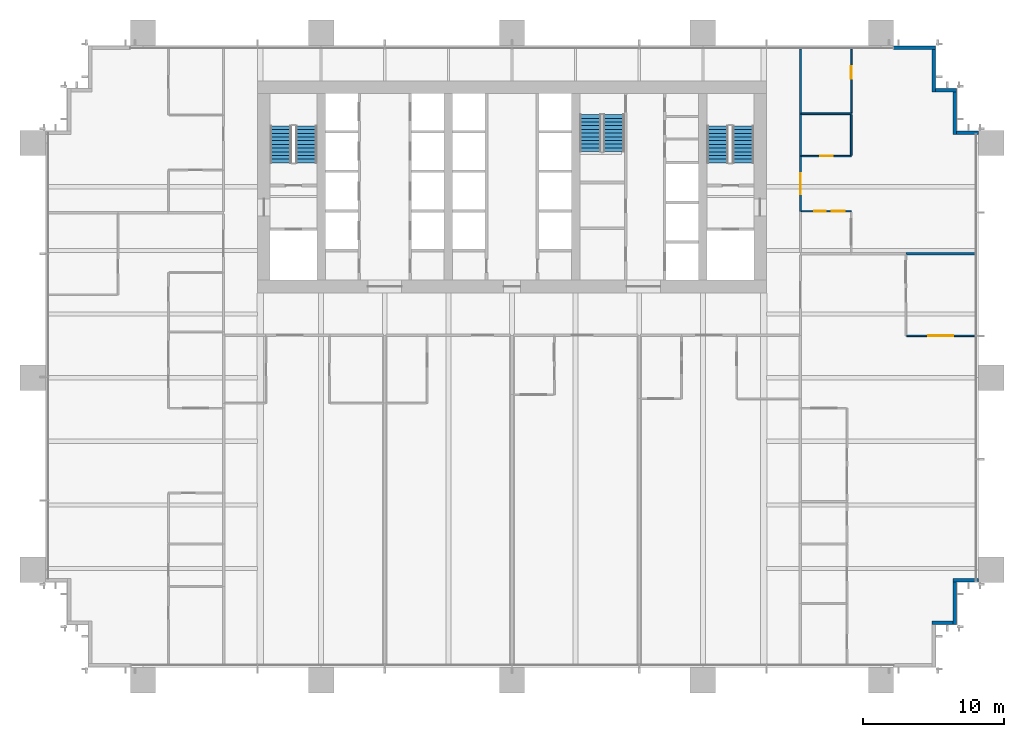
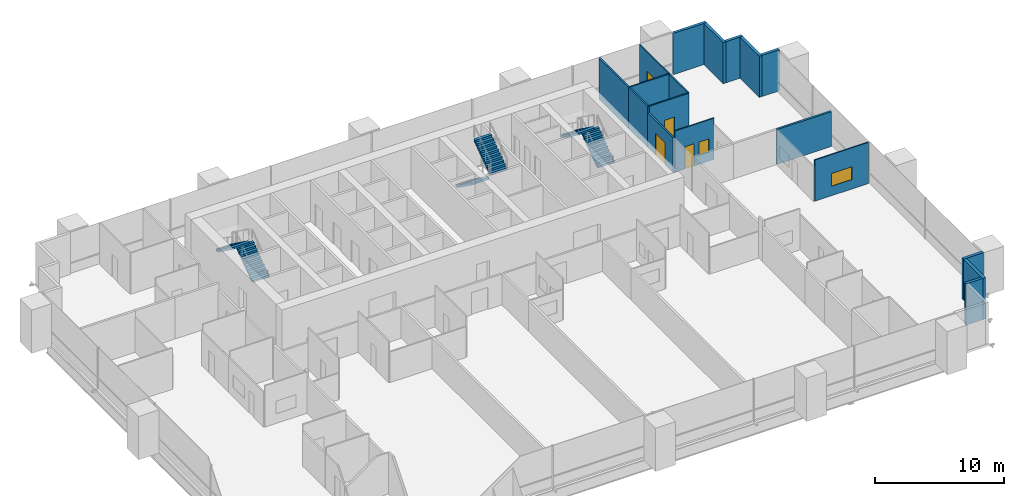
# One storey, part 15 of 18: 18 walls, 6 stair flights, 4 doors, 2 windows, 6 openings, 3 elements without a shape of their own.
"""IFC4 building model written with IfcOpenShell, lengths in metres."""

import ifcopenshell
import ifcopenshell.guid

model = None  # the IFC model being written
_history = None  # IfcOwnerHistory: only IFC2X3 demands one
_inside = {}  # id of a spatial element -> (the spatial element, [elements in it])
_under = {}  # id of a project, library or spatial element -> (it, [spatial elements below it])
_declared = {}  # id of a project -> (the project, [libraries it declares])
_typed = {}  # id of a type object -> (the type object, [elements of that type])
_made_of = {}  # id of a material, layer set ... -> (it, [elements and type objects made of it])


def new_model(schema):
    """Start an empty IFC model of exactly this schema.

    Asked for "IFC4X3", IfcOpenShell would pick the latest addendum, in which some entities
    have other attributes; the version numbers below select the first issue.
    IFC2X3 requires an IfcOwnerHistory on every rooted entity: one is made here for all.
    """
    global model, _history
    if schema == "IFC4X3":
        model = ifcopenshell.file(schema_version=(4, 3, 0, 0))
    else:
        model = ifcopenshell.file(schema=schema)
    _inside.clear()
    _under.clear()
    _declared.clear()
    _typed.clear()
    _made_of.clear()
    _history = None
    if model.schema == "IFC2X3":
        org = make("IfcOrganization", Name="unknown")
        user = make(
            "IfcPersonAndOrganization",
            ThePerson=make("IfcPerson", FamilyName="unknown"),
            TheOrganization=org,
        )
        app = make(
            "IfcApplication",
            ApplicationDeveloper=org,
            Version="unknown",
            ApplicationFullName="unknown",
            ApplicationIdentifier="unknown",
        )
        _history = make(
            "IfcOwnerHistory",
            OwningUser=user,
            OwningApplication=app,
            ChangeAction="ADDED",
            CreationDate=0,
        )
    return model


def make(cls, **values):
    """One entity of the class cls with the attributes given. An attribute that is None is left unset."""
    return model.create_entity(
        cls, **{name: value for name, value in values.items() if value is not None}
    )


def rooted(cls, **values):
    """An entity with a GlobalId (a new one), such as an element, a storey or a relation."""
    return make(cls, GlobalId=ifcopenshell.guid.new(), OwnerHistory=_history, **values)


def si_unit(unit_type, name, prefix=None):
    """IfcSIUnit, for example si_unit("LENGTHUNIT", "METRE", prefix="MILLI")."""
    return make("IfcSIUnit", UnitType=unit_type, Prefix=prefix, Name=name)


def assignment(units):
    """IfcUnitAssignment: the units of a project."""
    return None if units is None else make("IfcUnitAssignment", Units=units)


def point(xyz):
    """IfcCartesianPoint."""
    return None if xyz is None else make("IfcCartesianPoint", Coordinates=xyz)


def direction(xyz):
    """IfcDirection."""
    return None if xyz is None else make("IfcDirection", DirectionRatios=xyz)


def frame(location, z_axis=None, x_axis=None):
    """IfcAxis2Placement3D, a coordinate frame: its origin and axes. An axis left out is left unset."""
    return make(
        "IfcAxis2Placement3D",
        Location=point(location),
        Axis=direction(z_axis),
        RefDirection=direction(x_axis),
    )


def frame_2d(location, x_axis=None):
    """IfcAxis2Placement2D, a coordinate frame in the plane: its origin and x axis."""
    return make(
        "IfcAxis2Placement2D", Location=point(location), RefDirection=direction(x_axis)
    )


def origin():
    """The frame at (0, 0, 0) with its axes left unset."""
    return frame((0.0, 0.0, 0.0))


def place(relative_to, where):
    """IfcLocalPlacement: puts the frame where relative to a parent placement (None: the world)."""
    return make(
        "IfcLocalPlacement", PlacementRelTo=relative_to, RelativePlacement=where
    )


def context(
    kind, dimensions, precision=None, world=None, true_north=None, identifier=None
):
    """IfcGeometricRepresentationContext, for example the 3D "Model" context."""
    return make(
        "IfcGeometricRepresentationContext",
        ContextIdentifier=identifier,
        ContextType=kind,
        CoordinateSpaceDimension=dimensions,
        Precision=precision,
        WorldCoordinateSystem=world,
        TrueNorth=true_north,
    )


def subcontext(parent, identifier, kind, view, scale=None):
    """IfcGeometricRepresentationSubContext, for example "Body" below "Model"."""
    return make(
        "IfcGeometricRepresentationSubContext",
        ContextIdentifier=identifier,
        ContextType=kind,
        ParentContext=parent,
        TargetScale=scale,
        TargetView=view,
    )


def project(units=None, contexts=None):
    """IfcProject with its units and contexts."""
    return rooted(
        "IfcProject",
        Name="project",
        RepresentationContexts=contexts,
        UnitsInContext=assignment(units),
    )


def spatial(cls, under=None, at=None, **own):
    """A site, building, storey or space (cls), placed at a placement, below another one or the project."""
    s = rooted(cls, ObjectPlacement=at, **own)
    if under is not None:
        _under.setdefault(under.id(), (under, []))[1].append(s)
    return s


def polyline(points):
    """IfcPolyline through the points."""
    return make("IfcPolyline", Points=[point(p) for p in points])


def profile(cls, at=None, kind="AREA", **sizes):
    """A parametric profile (cls). Its sizes go by their IFC names, for example OverallWidth=200.0."""
    return make(cls, ProfileType=kind, Position=at, **sizes)


def rectangle(**sizes):
    """IfcRectangleProfileDef."""
    return profile("IfcRectangleProfileDef", **sizes)


def outline(outer, holes=None, kind="AREA"):
    """IfcArbitraryClosedProfileDef: a profile drawn as a closed curve; with holes, ...WithVoids."""
    if holes is None:
        return make("IfcArbitraryClosedProfileDef", ProfileType=kind, OuterCurve=outer)
    return make(
        "IfcArbitraryProfileDefWithVoids",
        ProfileType=kind,
        OuterCurve=outer,
        InnerCurves=holes,
    )


def extrude(swept, where, along, depth):
    """IfcExtrudedAreaSolid: the profile swept, set in the frame where, extruded along a direction by depth."""
    return make(
        "IfcExtrudedAreaSolid",
        SweptArea=swept,
        Position=where,
        ExtrudedDirection=direction(along),
        Depth=depth,
    )


def shape(context_of_items, identifier, shape_type, items):
    """IfcShapeRepresentation: the items that make up one representation, for example the "Body"."""
    return make(
        "IfcShapeRepresentation",
        ContextOfItems=context_of_items,
        RepresentationIdentifier=identifier,
        RepresentationType=shape_type,
        Items=items,
    )


def material(Name=None, Category=None):
    """IfcMaterial."""
    return make("IfcMaterial", Name=Name, Category=Category)


def layer(
    of_material, thickness, ventilated=None, Name=None, Category=None, Priority=None
):
    """IfcMaterialLayer: one layer of a wall or slab, of a material (None: an air gap)."""
    return make(
        "IfcMaterialLayer",
        Material=of_material,
        LayerThickness=thickness,
        IsVentilated=ventilated,
        Name=Name,
        Category=Category,
        Priority=Priority,
    )


def layer_set(layers, Name=None):
    """IfcMaterialLayerSet."""
    return make("IfcMaterialLayerSet", MaterialLayers=layers, LayerSetName=Name)


def made_of(thing, what):
    """Note that an element or type object is made of a material, layer set ...; save() writes the relation."""
    if what is not None:
        _made_of.setdefault(what.id(), (what, []))[1].append(thing)
    return thing


def type_object(cls, material=None, **own):
    """A type object (cls), such as IfcWallType, which elements share."""
    return made_of(rooted(cls, **own), material)


def element(
    cls,
    number,
    at=None,
    inside=None,
    cuts=None,
    type_object=None,
    material=None,
    context=None,
    identifier="Body",
    shape_type=None,
    held_by="IfcProductDefinitionShape",
    body=None,
    shapes=None,
    **own,
):
    """One element of the class cls, such as IfcWall. Its Tag is "e" and its number.

    at: its placement. inside: the storey or other place that contains it. cuts: it is an
    opening in that element (IfcRelVoidsElement). A single representation is given by context,
    identifier, shape_type and body (its items); several are given by shapes. held_by: the class
    of the entity that holds the representations. save() writes the other relations.
    """
    e = rooted(cls, Tag="e%d" % number, ObjectPlacement=at, **own)
    if body is not None:
        shapes = [shape(context, identifier, shape_type, body)]
    if shapes is not None:
        e.Representation = make(held_by, Representations=shapes)
    if inside is not None:
        _inside.setdefault(inside.id(), (inside, []))[1].append(e)
    if cuts is not None:
        rooted(
            "IfcRelVoidsElement", RelatingBuildingElement=cuts, RelatedOpeningElement=e
        )
    if type_object is not None:
        _typed.setdefault(type_object.id(), (type_object, []))[1].append(e)
    return made_of(e, material)


def fill(opening, filler):
    """IfcRelFillsElement: the door or window that sits in an opening."""
    return rooted(
        "IfcRelFillsElement",
        RelatingOpeningElement=opening,
        RelatedBuildingElement=filler,
    )


def aggregate(whole, parts):
    """IfcRelAggregates: a whole, such as a stair, and the parts it consists of."""
    return rooted("IfcRelAggregates", RelatingObject=whole, RelatedObjects=parts)


def save(model, path):
    """Write the relations noted so far, then the file.

    IfcRelAggregates (storeys below a building ...), IfcRelContainedInSpatialStructure (elements
    in a storey), IfcRelDefinesByType, IfcRelAssociatesMaterial and IfcRelDeclares: one each for
    every whole, place, type object, material and project.
    """
    for whole, parts in _under.values():
        aggregate(whole, parts)
    for where, things in _inside.values():
        rooted(
            "IfcRelContainedInSpatialStructure",
            RelatedElements=things,
            RelatingStructure=where,
        )
    for kind, things in _typed.values():
        rooted("IfcRelDefinesByType", RelatedObjects=things, RelatingType=kind)
    for what, things in _made_of.values():
        rooted("IfcRelAssociatesMaterial", RelatedObjects=things, RelatingMaterial=what)
    for by, libraries in _declared.values():
        rooted("IfcRelDeclares", RelatingContext=by, RelatedDefinitions=libraries)
    model.write(path)


model = new_model("IFC4")

# Units and contexts
model_context = context("Model", 3, precision=1e-05, world=origin(), true_north=direction((0.0, 1.0)))
body_context = subcontext(model_context, "Body", "Model", "MODEL_VIEW")
ifc_project = project(units=[si_unit("LENGTHUNIT", "METRE"), si_unit("AREAUNIT", "SQUARE_METRE"), si_unit("VOLUMEUNIT", "CUBIC_METRE"), si_unit("PLANEANGLEUNIT", "RADIAN"), si_unit("MASSUNIT", "GRAM", prefix="KILO")], contexts=[model_context])

# Site, building, storey
site_placement = place(None, origin())
site = spatial("IfcSite", under=ifc_project, at=site_placement, CompositionType="ELEMENT")
building_placement = place(site_placement, origin())
building = spatial("IfcBuilding", under=site, at=building_placement, Name="Rattan Terrace Tower", CompositionType="ELEMENT")
storey_placement = place(building_placement, frame((0.0, 0.0, 36.5)))
storey = spatial("IfcBuildingStorey", under=building, at=storey_placement, Name="L07", CompositionType="ELEMENT", Elevation=36.5)

# Walls
ifc_material_1 = material(Name="Insulated aluminium-clad stud wall", Category="aluminium")
ifc_layer_1 = layer(ifc_material_1, 0.25)
ifc_layer_set_1 = layer_set([ifc_layer_1], Name="Facade Riser Wall 250")
wall_type_1 = type_object("IfcWallType", Name="Facade Riser Wall 250", PredefinedType="SOLIDWALL", material=ifc_layer_set_1)
wall_1_placement = place(storey_placement, frame((29.705078125, -30.830078125, 0.0), z_axis=(0.0, 0.0, 1.0), x_axis=(1.0, 0.0, 0.0)))
element("IfcWall", 1, at=wall_1_placement, inside=storey, type_object=wall_type_1, Name="Riser wall L07-3", PredefinedType="SOLIDWALL", context=body_context, shape_type="SweptSolid", body=[
    extrude(rectangle(XDim=1.5, YDim=0.25, at=frame_2d((0.75, 0.0))), origin(), (0.0, 0.0, 1.0), 3.89990234375),
])
wall_2_placement = place(storey_placement, frame((31.330078125, -30.955078125, 0.0), z_axis=(0.0, 0.0, 1.0), x_axis=(0.0, 1.0, 0.0)))
element("IfcWall", 2, at=wall_2_placement, inside=storey, type_object=wall_type_1, Name="Riser wall L07-4", PredefinedType="SOLIDWALL", context=body_context, shape_type="SweptSolid", body=[
    extrude(rectangle(XDim=3.0, YDim=0.25, at=frame_2d((1.5, 0.0))), origin(), (0.0, 0.0, 1.0), 3.89990234375),
])
wall_3_placement = place(storey_placement, frame((31.205078125, -27.830078125, 0.0), z_axis=(0.0, 0.0, 1.0), x_axis=(1.0, 0.0, 0.0)))
element("IfcWall", 3, at=wall_3_placement, inside=storey, type_object=wall_type_1, Name="Riser wall L07-5", PredefinedType="SOLIDWALL", context=body_context, shape_type="SweptSolid", body=[
    extrude(rectangle(XDim=1.7998046875, YDim=0.25, at=frame_2d((0.89990234375, 0.0))), origin(), (0.0, 0.0, 1.0), 3.89990234375),
])
wall_4_placement = place(storey_placement, frame((33.0048828125, 3.830078125, 0.0), z_axis=(0.0, 0.0, 1.0), x_axis=(-1.0, 0.0, 0.0)))
element("IfcWall", 4, at=wall_4_placement, inside=storey, type_object=wall_type_1, Name="Riser wall L07-6", PredefinedType="SOLIDWALL", context=body_context, shape_type="SweptSolid", body=[
    extrude(rectangle(XDim=1.5498046875, YDim=0.25, at=frame_2d((0.77490234375, 0.0))), origin(), (0.0, 0.0, 1.0), 3.89990234375),
])
wall_5_placement = place(storey_placement, frame((31.330078125, 3.705078125, 0.0), z_axis=(0.0, 0.0, 1.0), x_axis=(0.0, 1.0, 0.0)))
element("IfcWall", 5, at=wall_5_placement, inside=storey, type_object=wall_type_1, Name="Riser wall L07-7", PredefinedType="SOLIDWALL", context=body_context, shape_type="SweptSolid", body=[
    extrude(rectangle(XDim=3.0, YDim=0.25, at=frame_2d((1.5, 0.0))), origin(), (0.0, 0.0, 1.0), 3.89990234375),
])
wall_6_placement = place(storey_placement, frame((31.455078125, 6.830078125, 0.0), z_axis=(0.0, 0.0, 1.0), x_axis=(-1.0, 0.0, 0.0)))
element("IfcWall", 6, at=wall_6_placement, inside=storey, type_object=wall_type_1, Name="Riser wall L07-8", PredefinedType="SOLIDWALL", context=body_context, shape_type="SweptSolid", body=[
    extrude(rectangle(XDim=1.5, YDim=0.25, at=frame_2d((0.75, 0.0))), origin(), (0.0, 0.0, 1.0), 3.89990234375),
])
wall_7_placement = place(storey_placement, frame((29.830078125, 6.705078125, 0.0), z_axis=(0.0, 0.0, 1.0), x_axis=(0.0, 1.0, 0.0)))
element("IfcWall", 7, at=wall_7_placement, inside=storey, type_object=wall_type_1, Name="Riser wall L07-9", PredefinedType="SOLIDWALL", context=body_context, shape_type="SweptSolid", body=[
    extrude(rectangle(XDim=3.0, YDim=0.25, at=frame_2d((1.5, 0.0))), origin(), (0.0, 0.0, 1.0), 3.89990234375),
])
wall_8_placement = place(storey_placement, frame((29.955078125, 9.830078125, 0.0), z_axis=(0.0, 0.0, 1.0), x_axis=(-1.0, 0.0, 0.0)))
element("IfcWall", 8, at=wall_8_placement, inside=storey, type_object=wall_type_1, Name="Riser wall L07-10", PredefinedType="SOLIDWALL", context=body_context, shape_type="SweptSolid", body=[
    extrude(rectangle(XDim=2.955078125, YDim=0.25, at=frame_2d((1.4775390625, 0.0))), origin(), (0.0, 0.0, 1.0), 3.89990234375),
])
ifc_material_2 = material(Name="Double steel stud acoustic partition, gypsum board, mineral wool, fire rated", Category="steel")
ifc_layer_2 = layer(ifc_material_2, 0.179931640625)
ifc_layer_set_2 = layer_set([ifc_layer_2], Name="Floors Acoustic Party Wall 180")
wall_type_2 = type_object("IfcWallType", Name="Floors Acoustic Party Wall 180", PredefinedType="PARTITIONING", material=ifc_layer_set_2)
wall_9_placement = place(storey_placement, frame((27.860107421875, -4.72705078125, 0.0), z_axis=(0.0, 0.0, 1.0), x_axis=(1.0, 0.0, 0.0)))
element("IfcWall", 9, at=wall_9_placement, inside=storey, type_object=wall_type_2, Name="pt-L07-081", PredefinedType="PARTITIONING", context=body_context, shape_type="SweptSolid", body=[
    extrude(rectangle(XDim=4.8798828125, YDim=0.179931640625, at=frame_2d((2.43994140625, 0.0))), origin(), (0.0, 0.0, 1.0), 3.300048828125),
])

# Wall, opening, window
ifc_material_3 = material(Name="Gypsum board partition on steel studs", Category="steel")
ifc_layer_3 = layer(ifc_material_3, 0.10009765625)
ifc_layer_set_3 = layer_set([ifc_layer_3], Name="Floors Partition 100")
wall_type_3 = type_object("IfcWallType", Name="Floors Partition 100", PredefinedType="PARTITIONING", material=ifc_layer_set_3)
wall_10_placement = place(storey_placement, frame((27.909912109375, -10.544921875, 0.0), z_axis=(0.0, 0.0, 1.0), x_axis=(1.0, 0.0, 0.0)))
wall_10 = element("IfcWall", 10, at=wall_10_placement, inside=storey, type_object=wall_type_3, Name="pt-L07-073", PredefinedType="PARTITIONING", context=body_context, shape_type="SweptSolid", body=[
    extrude(rectangle(XDim=4.830078125, YDim=0.10009765625, at=frame_2d((2.4150390625, 0.0))), origin(), (0.0, 0.0, 1.0), 3.89990234375),
])
opening_1_placement = place(wall_10_placement, frame((1.514892578125, 0.0, 0.89990234375)))
opening_1 = element("IfcOpeningElement", 11, at=opening_1_placement, cuts=wall_10, Name="Opening L07-W107", PredefinedType="OPENING", context=body_context, shape_type="SweptSolid", body=[
    extrude(rectangle(XDim=1.800048828125, YDim=1.199951171875, at=frame_2d((0.89990234375, 0.60009765625))), frame((0.0, 0.060546875, 0.0), z_axis=(0.0, -1.0, 0.0), x_axis=(1.0, 0.0, 0.0)), (0.0, 0.0, 1.0), 0.12109375),
])
ifc_material_4 = material(Name="Glass, clear, fixed in aluminium frame", Category="aluminium")
window_type_1 = type_object("IfcWindowType", Name="Interior Vision Window 1800x1200", PartitioningType="SINGLE_PANEL", PredefinedType="WINDOW", material=ifc_material_4)
window_1_placement = place(opening_1_placement, origin())
window_1 = element("IfcWindow", 12, at=window_1_placement, inside=storey, type_object=window_type_1, Name="w-L07-107", OverallHeight=1.199951171875, OverallWidth=1.800048828125, PartitioningType="SINGLE_PANEL", PredefinedType="WINDOW", context=body_context, shape_type="SweptSolid", body=[
    extrude(rectangle(XDim=1.800048828125, YDim=1.199951171875, at=frame_2d((0.89990234375, 0.60009765625))), frame((0.0, 0.030029296875, 0.0), z_axis=(0.0, -1.0, 0.0), x_axis=(1.0, 0.0, 0.0)), (0.0, 0.0, 1.0), 0.06005859375),
])
fill(opening_1, window_1)

# Wall, openings, door, window
wall_11_placement = place(storey_placement, frame((24.0, -1.72705078125, 0.0), z_axis=(0.0, 0.0, 1.0), x_axis=(-1.0, 0.0, 0.0)))
wall_11 = element("IfcWall", 13, at=wall_11_placement, inside=storey, type_object=wall_type_3, Name="pt-L07-085", PredefinedType="PARTITIONING", context=body_context, shape_type="SweptSolid", body=[
    extrude(rectangle(XDim=3.52490234375, YDim=0.10009765625, at=frame_2d((1.762451171875, 0.0))), origin(), (0.0, 0.0, 1.0), 3.89990234375),
])
opening_2_placement = place(wall_11_placement, frame((1.806884765625, 0.0, 0.0)))
opening_2 = element("IfcOpeningElement", 14, at=opening_2_placement, cuts=wall_11, Name="Opening L07-D127", PredefinedType="OPENING", context=body_context, shape_type="SweptSolid", body=[
    extrude(rectangle(XDim=0.800048828125, YDim=2.10009765625, at=frame_2d((0.39990234375, 1.050048828125))), frame((0.0, 0.060546875, 0.0), z_axis=(0.0, -1.0, 0.0), x_axis=(1.0, 0.0, 0.0)), (0.0, 0.0, 1.0), 0.12109375),
])
opening_3_placement = place(wall_11_placement, frame((0.47900390625, 0.0, 0.89990234375)))
opening_3 = element("IfcOpeningElement", 15, at=opening_3_placement, cuts=wall_11, Name="Opening L07-W110", PredefinedType="OPENING", context=body_context, shape_type="SweptSolid", body=[
    extrude(rectangle(XDim=0.89990234375, YDim=1.199951171875, at=frame_2d((0.449951171875, 0.60009765625))), frame((0.0, 0.060546875, 0.0), z_axis=(0.0, -1.0, 0.0), x_axis=(1.0, 0.0, 0.0)), (0.0, 0.0, 1.0), 0.12109375),
])
ifc_material_5 = material(Name="Solid core timber door, painted", Category="wood")
door_type_1 = type_object("IfcDoorType", Name="Floors Store Door 800x2100", OperationType="NOTDEFINED", PredefinedType="DOOR", material=ifc_material_5)
door_1_placement = place(opening_2_placement, origin())
door_1 = element("IfcDoor", 16, at=door_1_placement, inside=storey, type_object=door_type_1, Name="d-L07-127", OperationType="SINGLE_SWING_RIGHT", OverallHeight=2.10009765625, OverallWidth=0.800048828125, PredefinedType="DOOR", context=body_context, shape_type="SweptSolid", body=[
    extrude(rectangle(XDim=0.800048828125, YDim=2.10009765625, at=frame_2d((0.39990234375, 1.050048828125))), frame((0.0, 0.02490234375, 0.0), z_axis=(0.0, -1.0, 0.0), x_axis=(1.0, 0.0, 0.0)), (0.0, 0.0, 1.0), 0.050048828125),
])
fill(opening_2, door_1)
ifc_material_6 = material(Name="Glass, clear, fixed in aluminium frame", Category="aluminium")
window_type_2 = type_object("IfcWindowType", Name="Interior Vision Window 900x1200", PartitioningType="SINGLE_PANEL", PredefinedType="WINDOW", material=ifc_material_6)
window_2_placement = place(opening_3_placement, origin())
window_2 = element("IfcWindow", 17, at=window_2_placement, inside=storey, type_object=window_type_2, Name="w-L07-110", OverallHeight=1.199951171875, OverallWidth=0.89990234375, PartitioningType="SINGLE_PANEL", PredefinedType="WINDOW", context=body_context, shape_type="SweptSolid", body=[
    extrude(rectangle(XDim=0.89990234375, YDim=1.199951171875, at=frame_2d((0.449951171875, 0.60009765625))), frame((0.0, 0.030029296875, 0.0), z_axis=(0.0, -1.0, 0.0), x_axis=(1.0, 0.0, 0.0)), (0.0, 0.0, 1.0), 0.06005859375),
])
fill(opening_3, window_2)

# Wall, opening, door
wall_12_placement = place(storey_placement, frame((24.0, 5.193115234375, 0.0), z_axis=(0.0, 0.0, 1.0), x_axis=(0.0, 1.0, 0.0)))
wall_12 = element("IfcWall", 18, at=wall_12_placement, inside=storey, type_object=wall_type_3, Name="pt-L07-089", PredefinedType="PARTITIONING", context=body_context, shape_type="SweptSolid", body=[
    extrude(rectangle(XDim=4.546875, YDim=0.10009765625, at=frame_2d((2.2734375, 0.0))), origin(), (0.0, 0.0, 1.0), 3.89990234375),
])
opening_4_placement = place(wall_12_placement, frame((2.452880859375, 0.0, 0.0)))
opening_4 = element("IfcOpeningElement", 19, at=opening_4_placement, cuts=wall_12, Name="Opening L07-D129", PredefinedType="OPENING", context=body_context, shape_type="SweptSolid", body=[
    extrude(rectangle(XDim=0.89990234375, YDim=2.10009765625, at=frame_2d((0.449951171875, 1.050048828125))), frame((0.0, 0.060546875, 0.0), z_axis=(0.0, -1.0, 0.0), x_axis=(1.0, 0.0, 0.0)), (0.0, 0.0, 1.0), 0.12109375),
])
ifc_material_7 = material(Name="Solid core timber door, painted", Category="wood")
door_type_2 = type_object("IfcDoorType", Name="Floors Door 900x2100", OperationType="NOTDEFINED", PredefinedType="DOOR", material=ifc_material_7)
door_2_placement = place(opening_4_placement, origin())
door_2 = element("IfcDoor", 20, at=door_2_placement, inside=storey, type_object=door_type_2, Name="d-L07-129", OperationType="SINGLE_SWING_RIGHT", OverallHeight=2.10009765625, OverallWidth=0.89990234375, PredefinedType="DOOR", context=body_context, shape_type="SweptSolid", body=[
    extrude(rectangle(XDim=0.89990234375, YDim=2.10009765625, at=frame_2d((0.449951171875, 1.050048828125))), frame((0.0, 0.02490234375, 0.0), z_axis=(0.0, -1.0, 0.0), x_axis=(1.0, 0.0, 0.0)), (0.0, 0.0, 1.0), 0.050048828125),
])
fill(opening_4, door_2)

ifc_material_8 = material(Name="Gypsum board partition on steel studs, fire rated", Category="steel")
ifc_layer_4 = layer(ifc_material_8, 0.14990234375)
ifc_layer_set_4 = layer_set([ifc_layer_4], Name="Floors Tenancy Wall 150")
wall_type_4 = type_object("IfcWallType", Name="Floors Tenancy Wall 150", PredefinedType="PARTITIONING", material=ifc_layer_set_4)
wall_13_placement = place(storey_placement, frame((20.39990234375, 2.193115234375, 0.0), z_axis=(0.0, 0.0, 1.0), x_axis=(0.0, -1.0, 0.0)))
wall_13 = element("IfcWall", 21, at=wall_13_placement, inside=storey, type_object=wall_type_4, Name="pt-L07-018", PredefinedType="PARTITIONING", context=body_context, shape_type="SweptSolid", body=[
    extrude(rectangle(XDim=3.940185546875, YDim=0.14990234375, at=frame_2d((1.97021484375, 0.0))), origin(), (0.0, 0.0, 1.0), 3.300048828125),
])
opening_5_placement = place(wall_13_placement, frame((1.219970703125, 0.0, 0.0)))
opening_5 = element("IfcOpeningElement", 22, at=opening_5_placement, cuts=wall_13, Name="Opening L07-D126", PredefinedType="OPENING", context=body_context, shape_type="SweptSolid", body=[
    extrude(rectangle(XDim=1.5, YDim=2.10009765625, at=frame_2d((0.75, 1.050048828125))), frame((0.0, 0.08544921875, 0.0), z_axis=(0.0, -1.0, 0.0), x_axis=(1.0, 0.0, 0.0)), (0.0, 0.0, 1.0), 0.1708984375),
])
ifc_material_9 = material(Name="Steel fire door set", Category="steel")
door_type_3 = type_object("IfcDoorType", Name="Floors Unit Door Pair FD30S 1500x2100", OperationType="NOTDEFINED", PredefinedType="DOOR", material=ifc_material_9)
door_3_placement = place(opening_5_placement, origin())
door_3 = element("IfcDoor", 23, at=door_3_placement, inside=storey, type_object=door_type_3, Name="d-L07-126", OperationType="DOUBLE_DOOR_SINGLE_SWING", OverallHeight=2.10009765625, OverallWidth=1.5, PredefinedType="DOOR", context=body_context, shape_type="SweptSolid", body=[
    extrude(rectangle(XDim=1.5, YDim=2.10009765625, at=frame_2d((0.75, 1.050048828125))), frame((0.0, 0.02490234375, 0.0), z_axis=(0.0, -1.0, 0.0), x_axis=(1.0, 0.0, 0.0)), (0.0, 0.0, 1.0), 0.050048828125),
])
fill(opening_5, door_3)

# Walls
wall_14_placement = place(storey_placement, frame((20.39990234375, 5.153076171875, 0.0), z_axis=(0.0, 0.0, 1.0), x_axis=(0.0, -1.0, 0.0)))
element("IfcWall", 24, at=wall_14_placement, inside=storey, type_object=wall_type_4, Name="pt-L07-020", PredefinedType="PARTITIONING", context=body_context, shape_type="SweptSolid", body=[
    extrude(rectangle(XDim=2.9599609375, YDim=0.14990234375, at=frame_2d((1.47998046875, 0.0))), origin(), (0.0, 0.0, 1.0), 3.89990234375),
])
wall_15_placement = place(storey_placement, frame((20.39990234375, 9.739990234375, 0.0), z_axis=(0.0, 0.0, 1.0), x_axis=(0.0, -1.0, 0.0)))
element("IfcWall", 25, at=wall_15_placement, inside=storey, type_object=wall_type_4, Name="pt-L07-021", PredefinedType="PARTITIONING", context=body_context, shape_type="SweptSolid", body=[
    extrude(rectangle(XDim=4.5869140625, YDim=0.14990234375, at=frame_2d((2.29345703125, 0.0))), origin(), (0.0, 0.0, 1.0), 3.89990234375),
])

# Wall, opening, door
ifc_material_10 = material(Name="Moisture resistant gypsum board partition on steel studs with service cavity", Category="steel")
ifc_layer_5 = layer(ifc_material_10, 0.1201171875)
ifc_layer_set_5 = layer_set([ifc_layer_5], Name="Floors Wet Wall 120")
wall_type_5 = type_object("IfcWallType", Name="Floors Wet Wall 120", PredefinedType="PARTITIONING", material=ifc_layer_set_5)
wall_16_placement = place(storey_placement, frame((20.47509765625, 2.173095703125, 0.0), z_axis=(0.0, 0.0, 1.0), x_axis=(1.0, 0.0, 0.0)))
wall_16 = element("IfcWall", 26, at=wall_16_placement, inside=storey, type_object=wall_type_5, Name="pt-L07-087", PredefinedType="PARTITIONING", context=body_context, shape_type="SweptSolid", body=[
    extrude(rectangle(XDim=3.52490234375, YDim=0.1201171875, at=frame_2d((1.762451171875, 0.0))), origin(), (0.0, 0.0, 1.0), 3.89990234375),
])
opening_6_placement = place(wall_16_placement, frame((1.31201171875, 0.0, 0.0)))
opening_6 = element("IfcOpeningElement", 27, at=opening_6_placement, cuts=wall_16, Name="Opening L07-D128", PredefinedType="OPENING", context=body_context, shape_type="SweptSolid", body=[
    extrude(rectangle(XDim=0.89990234375, YDim=2.10009765625, at=frame_2d((0.449951171875, 1.050048828125))), frame((0.0, 0.070556640625, 0.0), z_axis=(0.0, -1.0, 0.0), x_axis=(1.0, 0.0, 0.0)), (0.0, 0.0, 1.0), 0.14111328125),
])
door_4_placement = place(opening_6_placement, origin())
door_4 = element("IfcDoor", 28, at=door_4_placement, inside=storey, type_object=door_type_2, Name="d-L07-128", OperationType="SINGLE_SWING_LEFT", OverallHeight=2.10009765625, OverallWidth=0.89990234375, PredefinedType="DOOR", context=body_context, shape_type="SweptSolid", body=[
    extrude(rectangle(XDim=0.89990234375, YDim=2.10009765625, at=frame_2d((0.449951171875, 1.050048828125))), frame((0.0, 0.02490234375, 0.0), z_axis=(0.0, -1.0, 0.0), x_axis=(1.0, 0.0, 0.0)), (0.0, 0.0, 1.0), 0.050048828125),
])
fill(opening_6, door_4)

# Walls
wall_17_placement = place(storey_placement, frame((24.0009765625, 2.23291015625, 0.0), z_axis=(0.0, 0.0, 1.0), x_axis=(0.0, 1.0, 0.0)))
element("IfcWall", 29, at=wall_17_placement, inside=storey, type_object=wall_type_5, Name="pt-L07-088", PredefinedType="PARTITIONING", context=body_context, shape_type="SweptSolid", body=[
    extrude(rectangle(XDim=2.880126953125, YDim=0.1201171875, at=frame_2d((1.43994140625, 0.0))), origin(), (0.0, 0.0, 1.0), 3.89990234375),
])
wall_18_placement = place(storey_placement, frame((20.47509765625, 5.173095703125, 0.0), z_axis=(0.0, 0.0, 1.0), x_axis=(1.0, 0.0, 0.0)))
element("IfcWall", 30, at=wall_18_placement, inside=storey, type_object=wall_type_5, Name="pt-L07-090", PredefinedType="PARTITIONING", context=body_context, shape_type="SweptSolid", body=[
    extrude(rectangle(XDim=3.52490234375, YDim=0.1201171875, at=frame_2d((1.762451171875, 0.0))), origin(), (0.0, 0.0, 1.0), 3.89990234375),
])

# Stair, stair flights
ifc_material_11 = material(Name="Concrete C40/50", Category="concrete")
stair_type = type_object("IfcStairType", Name="Core exit stair 1500", PredefinedType="HALF_TURN_STAIR", material=ifc_material_11)
stair_1_placement = place(storey_placement, origin())
stair_1 = element("IfcStair", 31, at=stair_1_placement, inside=storey, type_object=stair_type, Name="L07 exit stair 1", PredefinedType="HALF_TURN_STAIR")
ifc_material_12 = material(Name="Concrete C40/50", Category="concrete")
stair_flight_type = type_object("IfcStairFlightType", Name="Core exit stair flight 1500", PredefinedType="STRAIGHT", material=ifc_material_12)
stair_flight_1_placement = place(storey_placement, frame((-14.550048828125, 1.699951171875, 0.0), z_axis=(0.0, 0.0, 1.0), x_axis=(0.0, 1.0, 0.0)))
stair_flight_1 = element("IfcStairFlight", 32, at=stair_flight_1_placement, type_object=stair_flight_type, Name="S1 flight 1", NumberOfRisers=11, NumberOfTreads=10, PredefinedType="STRAIGHT", RiserHeight=0.186363636, TreadLength=0.26, context=body_context, shape_type="SweptSolid", body=[
    extrude(outline(polyline([(0.0, 0.0), (0.0, 0.186279296875), (0.260009765625, 0.186279296875), (0.260009765625, 0.372802734375), (0.52001953125, 0.372802734375), (0.52001953125, 0.55908203125), (0.780029296875, 0.55908203125), (0.780029296875, 0.745361328125), (1.0400390625, 0.745361328125), (1.0400390625, 0.931884765625), (1.300048828125, 0.931884765625), (1.300048828125, 1.1181640625), (1.56005859375, 1.1181640625), (1.56005859375, 1.304443359375), (1.820068359375, 1.304443359375), (1.820068359375, 1.490966796875), (2.080078125, 1.490966796875), (2.080078125, 1.67724609375), (2.340087890625, 1.67724609375), (2.340087890625, 1.863525390625), (2.60009765625, 1.863525390625), (2.60009765625, 2.050048828125), (2.60009765625, 1.67919921875), (0.25732421875, 0.0), (0.0, 0.0)])), frame((0.0, 0.75, 0.0), z_axis=(0.0, -1.0, 0.0), x_axis=(1.0, 0.0, 0.0)), (0.0, 0.0, 1.0), 1.5),
])
stair_flight_2_placement = place(storey_placement, frame((-16.35009765625, 4.300048828125, 2.050048828125), z_axis=(0.0, 0.0, 1.0), x_axis=(0.0, -1.0, 0.0)))
stair_flight_2 = element("IfcStairFlight", 33, at=stair_flight_2_placement, type_object=stair_flight_type, Name="S1 flight 2", NumberOfRisers=11, NumberOfTreads=10, PredefinedType="STRAIGHT", RiserHeight=0.186363636, TreadLength=0.26, context=body_context, shape_type="SweptSolid", body=[
    extrude(outline(polyline([(0.0, 0.0), (0.0, 0.186279296875), (0.260009765625, 0.186279296875), (0.260009765625, 0.372802734375), (0.52001953125, 0.372802734375), (0.52001953125, 0.55908203125), (0.780029296875, 0.55908203125), (0.780029296875, 0.745361328125), (1.0400390625, 0.745361328125), (1.0400390625, 0.931884765625), (1.300048828125, 0.931884765625), (1.300048828125, 1.1181640625), (1.56005859375, 1.1181640625), (1.56005859375, 1.304443359375), (1.820068359375, 1.304443359375), (1.820068359375, 1.490966796875), (2.080078125, 1.490966796875), (2.080078125, 1.67724609375), (2.340087890625, 1.67724609375), (2.340087890625, 1.863525390625), (2.60009765625, 1.863525390625), (2.60009765625, 2.050048828125), (2.60009765625, 1.67919921875), (0.25732421875, 0.0), (0.0, 0.0)])), frame((0.0, 0.75, 0.0), z_axis=(0.0, -1.0, 0.0), x_axis=(1.0, 0.0, 0.0)), (0.0, 0.0, 1.0), 1.5),
])
aggregate(stair_1, [stair_flight_1, stair_flight_2])

stair_2_placement = place(storey_placement, origin())
stair_2 = element("IfcStair", 34, at=stair_2_placement, inside=storey, type_object=stair_type, Name="L07 exit stair 2", PredefinedType="HALF_TURN_STAIR")
stair_flight_3_placement = place(storey_placement, frame((16.35009765625, 1.699951171875, 0.0), z_axis=(0.0, 0.0, 1.0), x_axis=(0.0, 1.0, 0.0)))
stair_flight_3 = element("IfcStairFlight", 35, at=stair_flight_3_placement, type_object=stair_flight_type, Name="S2 flight 1", NumberOfRisers=11, NumberOfTreads=10, PredefinedType="STRAIGHT", RiserHeight=0.186363636, TreadLength=0.26, context=body_context, shape_type="SweptSolid", body=[
    extrude(outline(polyline([(0.0, 0.0), (0.0, 0.186279296875), (0.260009765625, 0.186279296875), (0.260009765625, 0.372802734375), (0.52001953125, 0.372802734375), (0.52001953125, 0.55908203125), (0.780029296875, 0.55908203125), (0.780029296875, 0.745361328125), (1.0400390625, 0.745361328125), (1.0400390625, 0.931884765625), (1.300048828125, 0.931884765625), (1.300048828125, 1.1181640625), (1.56005859375, 1.1181640625), (1.56005859375, 1.304443359375), (1.820068359375, 1.304443359375), (1.820068359375, 1.490966796875), (2.080078125, 1.490966796875), (2.080078125, 1.67724609375), (2.340087890625, 1.67724609375), (2.340087890625, 1.863525390625), (2.60009765625, 1.863525390625), (2.60009765625, 2.050048828125), (2.60009765625, 1.67919921875), (0.25732421875, 0.0), (0.0, 0.0)])), frame((0.0, 0.75, 0.0), z_axis=(0.0, -1.0, 0.0), x_axis=(1.0, 0.0, 0.0)), (0.0, 0.0, 1.0), 1.5),
])
stair_flight_4_placement = place(storey_placement, frame((14.550048828125, 4.300048828125, 2.050048828125), z_axis=(0.0, 0.0, 1.0), x_axis=(0.0, -1.0, 0.0)))
stair_flight_4 = element("IfcStairFlight", 36, at=stair_flight_4_placement, type_object=stair_flight_type, Name="S2 flight 2", NumberOfRisers=11, NumberOfTreads=10, PredefinedType="STRAIGHT", RiserHeight=0.186363636, TreadLength=0.26, context=body_context, shape_type="SweptSolid", body=[
    extrude(outline(polyline([(0.0, 0.0), (0.0, 0.186279296875), (0.260009765625, 0.186279296875), (0.260009765625, 0.372802734375), (0.52001953125, 0.372802734375), (0.52001953125, 0.55908203125), (0.780029296875, 0.55908203125), (0.780029296875, 0.745361328125), (1.0400390625, 0.745361328125), (1.0400390625, 0.931884765625), (1.300048828125, 0.931884765625), (1.300048828125, 1.1181640625), (1.56005859375, 1.1181640625), (1.56005859375, 1.304443359375), (1.820068359375, 1.304443359375), (1.820068359375, 1.490966796875), (2.080078125, 1.490966796875), (2.080078125, 1.67724609375), (2.340087890625, 1.67724609375), (2.340087890625, 1.863525390625), (2.60009765625, 1.863525390625), (2.60009765625, 2.050048828125), (2.60009765625, 1.67919921875), (0.25732421875, 0.0), (0.0, 0.0)])), frame((0.0, 0.75, 0.0), z_axis=(0.0, -1.0, 0.0), x_axis=(1.0, 0.0, 0.0)), (0.0, 0.0, 1.0), 1.5),
])
aggregate(stair_2, [stair_flight_3, stair_flight_4])

stair_3_placement = place(storey_placement, origin())
stair_3 = element("IfcStair", 37, at=stair_3_placement, inside=storey, type_object=stair_type, Name="L07 exit stair 3", PredefinedType="HALF_TURN_STAIR")
stair_flight_5_placement = place(storey_placement, frame((5.550048828125, 5.10009765625, 0.0), z_axis=(0.0, 0.0, 1.0), x_axis=(0.0, -1.0, 0.0)))
stair_flight_5 = element("IfcStairFlight", 38, at=stair_flight_5_placement, type_object=stair_flight_type, Name="S3 flight 1", NumberOfRisers=11, NumberOfTreads=10, PredefinedType="STRAIGHT", RiserHeight=0.186363636, TreadLength=0.26, context=body_context, shape_type="SweptSolid", body=[
    extrude(outline(polyline([(0.0, 0.0), (0.0, 0.186279296875), (0.260009765625, 0.186279296875), (0.260009765625, 0.372802734375), (0.52001953125, 0.372802734375), (0.52001953125, 0.55908203125), (0.780029296875, 0.55908203125), (0.780029296875, 0.745361328125), (1.0400390625, 0.745361328125), (1.0400390625, 0.931884765625), (1.300048828125, 0.931884765625), (1.300048828125, 1.1181640625), (1.56005859375, 1.1181640625), (1.56005859375, 1.304443359375), (1.820068359375, 1.304443359375), (1.820068359375, 1.490966796875), (2.080078125, 1.490966796875), (2.080078125, 1.67724609375), (2.340087890625, 1.67724609375), (2.340087890625, 1.863525390625), (2.60009765625, 1.863525390625), (2.60009765625, 2.050048828125), (2.60009765625, 1.67919921875), (0.25732421875, 0.0), (0.0, 0.0)])), frame((0.0, 0.75, 0.0), z_axis=(0.0, -1.0, 0.0), x_axis=(1.0, 0.0, 0.0)), (0.0, 0.0, 1.0), 1.5),
])
stair_flight_6_placement = place(storey_placement, frame((7.199951171875, 2.5, 2.050048828125), z_axis=(0.0, 0.0, 1.0), x_axis=(0.0, 1.0, 0.0)))
stair_flight_6 = element("IfcStairFlight", 39, at=stair_flight_6_placement, type_object=stair_flight_type, Name="S3 flight 2", NumberOfRisers=11, NumberOfTreads=10, PredefinedType="STRAIGHT", RiserHeight=0.186363636, TreadLength=0.26, context=body_context, shape_type="SweptSolid", body=[
    extrude(outline(polyline([(0.0, 0.0), (0.0, 0.186279296875), (0.260009765625, 0.186279296875), (0.260009765625, 0.372802734375), (0.52001953125, 0.372802734375), (0.52001953125, 0.55908203125), (0.780029296875, 0.55908203125), (0.780029296875, 0.745361328125), (1.0400390625, 0.745361328125), (1.0400390625, 0.931884765625), (1.300048828125, 0.931884765625), (1.300048828125, 1.1181640625), (1.56005859375, 1.1181640625), (1.56005859375, 1.304443359375), (1.820068359375, 1.304443359375), (1.820068359375, 1.490966796875), (2.080078125, 1.490966796875), (2.080078125, 1.67724609375), (2.340087890625, 1.67724609375), (2.340087890625, 1.863525390625), (2.60009765625, 1.863525390625), (2.60009765625, 2.050048828125), (2.60009765625, 1.67919921875), (0.25732421875, 0.0), (0.0, 0.0)])), frame((0.0, 0.75, 0.0), z_axis=(0.0, -1.0, 0.0), x_axis=(1.0, 0.0, 0.0)), (0.0, 0.0, 1.0), 1.5),
])
aggregate(stair_3, [stair_flight_5, stair_flight_6])

save(model, "model.ifc")
